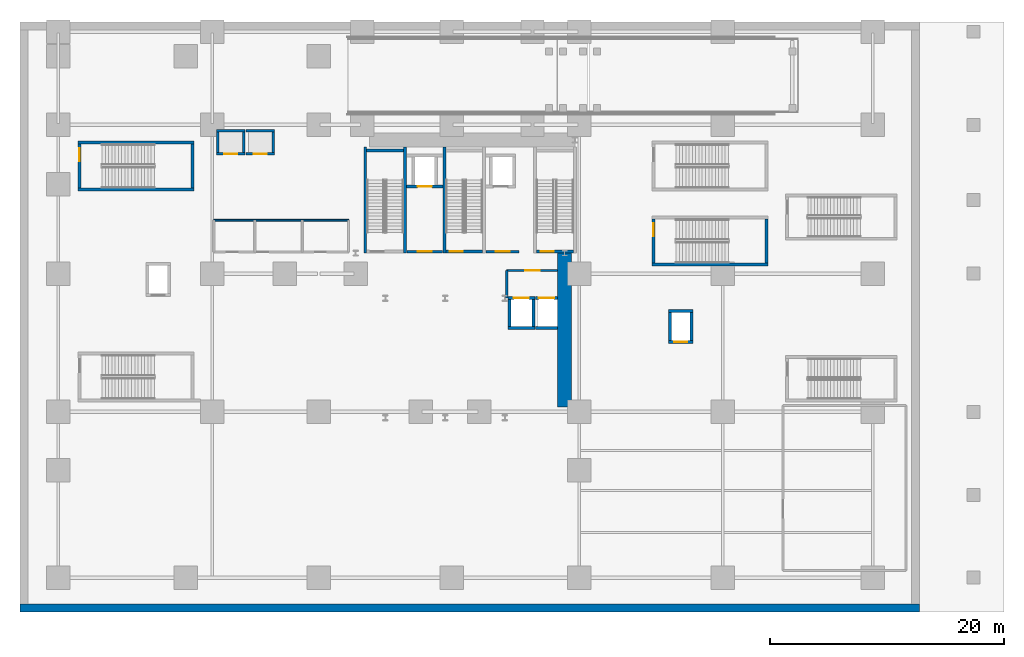
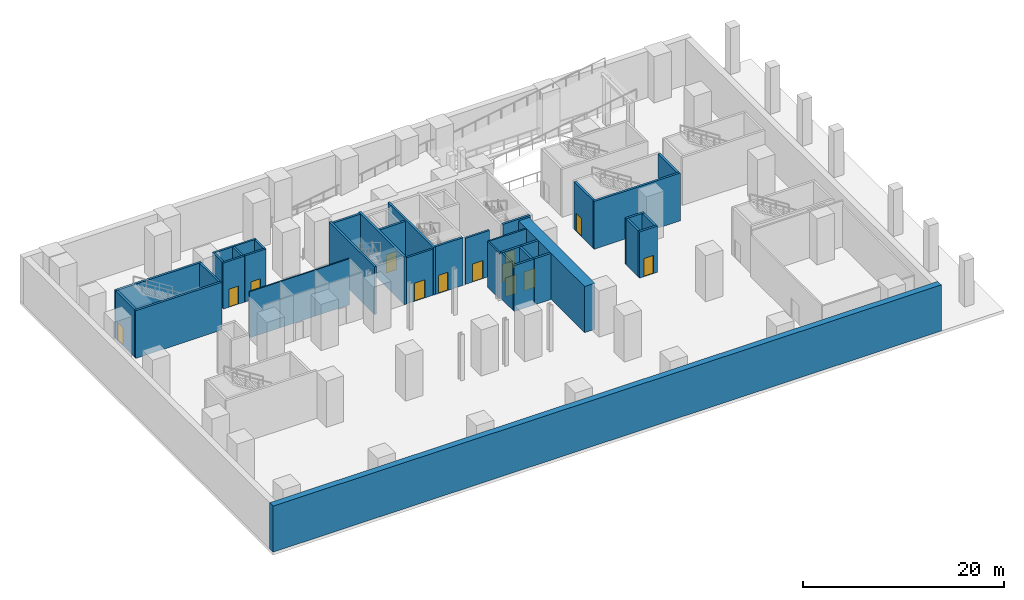
# One storey, part 5 of 16: 40 walls, 13 doors, 13 openings.
"""IFC4 building model written with IfcOpenShell, lengths in metres."""

from ifc_helpers import new_model, si_unit, direction, frame, frame_2d, origin, place, context, subcontext, project, spatial, rectangle, extrude, source, transform, mapped, material, layer, layer_set, type_object, element, fill, save


model = new_model("IFC4")

# Units and contexts
model_context = context("Model", 3, precision=1e-05, world=origin(), true_north=direction((0.0, 1.0)))
body_context = subcontext(model_context, "Body", "Model", "MODEL_VIEW")
ifc_project = project(units=[si_unit("LENGTHUNIT", "METRE"), si_unit("AREAUNIT", "SQUARE_METRE"), si_unit("VOLUMEUNIT", "CUBIC_METRE"), si_unit("PLANEANGLEUNIT", "RADIAN"), si_unit("MASSUNIT", "GRAM", prefix="KILO")], contexts=[model_context])

# Site, building, storey
site_placement = place(None, origin())
site = spatial("IfcSite", under=ifc_project, at=site_placement, CompositionType="ELEMENT")
building_placement = place(site_placement, origin())
building = spatial("IfcBuilding", under=site, at=building_placement, Name="Vardaveli Station Tower", CompositionType="ELEMENT")
storey_placement = place(building_placement, frame((0.0, 0.0, -6.0)))
storey = spatial("IfcBuildingStorey", under=building, at=storey_placement, Name="B01", CompositionType="ELEMENT", Elevation=-6.0)

# Walls
ifc_material_1 = material(Name="Concrete C70/85", Category="concrete")
ifc_layer_1 = layer(ifc_material_1, 1.199951171875, Name="Concrete C70/85")
ifc_layer_set_1 = layer_set([ifc_layer_1], Name="Concrete C70/85")
wall_type_1 = type_object("IfcWallType", Name="WAL-CORE-1200", PredefinedType="SHEAR", material=ifc_layer_set_1)
shared_shape_1 = source(origin(), body_context, "Body", "SweptSolid", [
    extrude(rectangle(XDim=13.14990234375, YDim=1.199951171875, at=frame_2d((6.574951171875, 0.0))), origin(), (0.0, 0.0, 1.0), 5.60009765625),
])
wall_1_placement = place(storey_placement, frame((46.5, 17.5, 0.0), z_axis=(0.0, 0.0, 1.0), x_axis=(0.0, 1.0, 0.0)))
element("IfcWall", 1, at=wall_1_placement, inside=storey, type_object=wall_type_1, Name="SW-B01-EAST2", PredefinedType="SHEAR", context=body_context, shape_type="MappedRepresentation", body=[
    mapped(shared_shape_1, transform((0.0, 0.0, 0.0), scale=1.0)),
])
ifc_material_2 = material(Name="Concrete C40/50", Category="concrete")
ifc_layer_2 = layer(ifc_material_2, 0.699951171875, Name="Concrete C40/50")
ifc_layer_set_2 = layer_set([ifc_layer_2], Name="Concrete C40/50")
wall_type_2 = type_object("IfcWallType", Name="WAL-RET-700", PredefinedType="SOLIDWALL", material=ifc_layer_set_2)
shared_shape_2 = source(origin(), body_context, "Body", "SweptSolid", [
    extrude(rectangle(XDim=76.800048828125, YDim=0.699951171875, at=frame_2d((38.39990234375, 0.0))), origin(), (0.0, 0.0, 1.0), 5.60009765625),
])
wall_2_placement = place(storey_placement, frame((0.0, 0.35009765625, 0.0), z_axis=(0.0, 0.0, 1.0), x_axis=(1.0, 0.0, 0.0)))
element("IfcWall", 2, at=wall_2_placement, inside=storey, type_object=wall_type_2, Name="BW-B01-S", PredefinedType="SOLIDWALL", context=body_context, shape_type="MappedRepresentation", body=[
    mapped(shared_shape_2, transform((0.0, 0.0, 0.0), scale=1.0)),
])
ifc_layer_3 = layer(ifc_material_2, 0.25, Name="Concrete C40/50")
ifc_layer_set_3 = layer_set([ifc_layer_3], Name="Concrete C40/50")
wall_type_3 = type_object("IfcWallType", Name="WAL-SHAFT-250", PredefinedType="SOLIDWALL", material=ifc_layer_set_3)
shared_shape_3 = source(origin(), body_context, "Body", "SweptSolid", [
    extrude(rectangle(XDim=9.050048828125, YDim=0.25, at=frame_2d((4.52490234375, 0.0))), origin(), (0.0, 0.0, 1.0), 5.800048828125),
])
for number, where, z_axis, x_axis, name in (
    (3, (29.47509765625, 30.64990234375, 0.0), (0.0, 0.0, 1.0), (0.0, 1.0, 0.0), "W-B01-ST-1W"),
    (4, (32.875, 30.64990234375, 0.0), (0.0, 0.0, 1.0), (0.0, 1.0, 0.0), "W-B01-ST-1E"),
    (5, (36.22509765625, 30.64990234375, 0.0), (0.0, 0.0, 1.0), (0.0, 1.0, 0.0), "W-B01-ST-2W"),
):
    element("IfcWall", number, at=place(storey_placement, frame(where, z_axis=z_axis, x_axis=x_axis)), inside=storey, type_object=wall_type_3, Name=name, PredefinedType="SOLIDWALL", context=body_context, shape_type="MappedRepresentation", body=[
        mapped(shared_shape_3, transform((0.0, 0.0, 0.0), scale=1.0)),
    ])
shared_shape_4 = source(origin(), body_context, "Body", "SweptSolid", [
    extrude(rectangle(XDim=3.14990234375, YDim=0.25, at=frame_2d((1.574951171875, 0.0))), origin(), (0.0, 0.0, 1.0), 5.800048828125),
])
wall_3_placement = place(storey_placement, frame((29.60009765625, 39.425048828125, 0.0), z_axis=(0.0, 0.0, 1.0), x_axis=(1.0, 0.0, 0.0)))
element("IfcWall", 6, at=wall_3_placement, inside=storey, type_object=wall_type_3, Name="W-B01-ST-1N", PredefinedType="SOLIDWALL", context=body_context, shape_type="MappedRepresentation", body=[
    mapped(shared_shape_4, transform((0.0, 0.0, 0.0), scale=1.0)),
])

# Wall, opening, door
wall_4_placement = place(storey_placement, frame((36.35009765625, 30.77490234375, 0.0), z_axis=(0.0, 0.0, 1.0), x_axis=(1.0, 0.0, 0.0)))
wall_4 = element("IfcWall", 7, at=wall_4_placement, inside=storey, type_object=wall_type_3, Name="W-B01-ST-2S", PredefinedType="SOLIDWALL", context=body_context, shape_type="MappedRepresentation", body=[
    mapped(shared_shape_4, transform((0.0, 0.0, 0.0), scale=1.0)),
])
shared_shape_5 = source(origin(), body_context, "Body", "SweptSolid", [
    extrude(rectangle(XDim=1.10009765625, YDim=2.199951171875, at=frame_2d((0.550048828125, 1.10009765625))), frame((0.0, 0.135009765625, 0.0), z_axis=(0.0, -1.0, 0.0), x_axis=(1.0, 0.0, 0.0)), (0.0, 0.0, 1.0), 0.27001953125),
])
opening_1_placement = place(wall_4_placement, frame((0.35009765625, 0.0, 0.0)))
opening_1 = element("IfcOpeningElement", 8, at=opening_1_placement, cuts=wall_4, Name="Opening D-04", PredefinedType="OPENING", context=body_context, shape_type="MappedRepresentation", body=[
    mapped(shared_shape_5, transform((0.0, 0.0, 0.0), scale=1.0)),
])
ifc_material_3 = material(Name="Steel smokeproof fire doorset", Category="steel")
door_type_1 = type_object("IfcDoorType", Name="DR-ST-1100x2200", OperationType="NOTDEFINED", PredefinedType="DOOR", material=ifc_material_3)
shared_shape_6 = source(origin(), body_context, "Body", "SweptSolid", [
    extrude(rectangle(XDim=1.10009765625, YDim=2.199951171875, at=frame_2d((0.550048828125, 1.10009765625))), frame((0.0, 0.02490234375, 0.0), z_axis=(0.0, -1.0, 0.0), x_axis=(1.0, 0.0, 0.0)), (0.0, 0.0, 1.0), 0.050048828125),
])
door_1_placement = place(opening_1_placement, origin())
door_1 = element("IfcDoor", 9, at=door_1_placement, inside=storey, type_object=door_type_1, Name="DST-2-B01", OperationType="SINGLE_SWING_LEFT", OverallHeight=2.199951171875, OverallWidth=1.10009765625, PredefinedType="DOOR", context=body_context, shape_type="MappedRepresentation", body=[
    mapped(shared_shape_6, transform((0.0, 0.0, 0.0), scale=1.0)),
])
fill(opening_1, door_1)

wall_5_placement = place(storey_placement, frame((44.10009765625, 30.77490234375, 0.0), z_axis=(0.0, 0.0, 1.0), x_axis=(1.0, 0.0, 0.0)))
wall_5 = element("IfcWall", 10, at=wall_5_placement, inside=storey, type_object=wall_type_3, Name="W-B01-ST-3S", PredefinedType="SOLIDWALL", context=body_context, shape_type="MappedRepresentation", body=[
    mapped(shared_shape_4, transform((0.0, 0.0, 0.0), scale=1.0)),
])
opening_2_placement = place(wall_5_placement, frame((0.35009765625, 0.0, 0.0)))
opening_2 = element("IfcOpeningElement", 11, at=opening_2_placement, cuts=wall_5, Name="Opening D-04", PredefinedType="OPENING", context=body_context, shape_type="MappedRepresentation", body=[
    mapped(shared_shape_5, transform((0.0, 0.0, 0.0), scale=1.0)),
])
door_2_placement = place(opening_2_placement, origin())
door_2 = element("IfcDoor", 12, at=door_2_placement, inside=storey, type_object=door_type_1, Name="DST-3-B01", OperationType="SINGLE_SWING_LEFT", OverallHeight=2.199951171875, OverallWidth=1.10009765625, PredefinedType="DOOR", context=body_context, shape_type="MappedRepresentation", body=[
    mapped(shared_shape_6, transform((0.0, 0.0, 0.0), scale=1.0)),
])
fill(opening_2, door_2)

# Walls
shared_shape_7 = source(origin(), body_context, "Body", "SweptSolid", [
    extrude(rectangle(XDim=9.900146484375, YDim=0.25, at=frame_2d((4.9501953125, 0.0))), origin(), (0.0, 0.0, 1.0), 5.800048828125),
])
for number, where, z_axis, x_axis, name in (
    (13, (53.949951171875, 29.675048828125, 0.0), (0.0, 0.0, 1.0), (1.0, 0.0, 0.0), "W-B01-ST-S2S"),
    (14, (4.949951171875, 36.074951171875, 0.0), (0.0, 0.0, 1.0), (1.0, 0.0, 0.0), "W-B01-ST-P1S"),
    (15, (4.949951171875, 40.074951171875, 0.0), (0.0, 0.0, 1.0), (1.0, 0.0, 0.0), "W-B01-ST-P1N"),
):
    element("IfcWall", number, at=place(storey_placement, frame(where, z_axis=z_axis, x_axis=x_axis)), inside=storey, type_object=wall_type_3, Name=name, PredefinedType="SOLIDWALL", context=body_context, shape_type="MappedRepresentation", body=[
        mapped(shared_shape_7, transform((0.0, 0.0, 0.0), scale=1.0)),
    ])
shared_shape_8 = source(origin(), body_context, "Body", "SweptSolid", [
    extrude(rectangle(XDim=3.75, YDim=0.25, at=frame_2d((1.875, 0.0))), origin(), (0.0, 0.0, 1.0), 5.800048828125),
])
wall_6_placement = place(storey_placement, frame((63.72509765625, 29.800048828125, 0.0), z_axis=(0.0, 0.0, 1.0), x_axis=(0.0, 1.0, 0.0)))
element("IfcWall", 16, at=wall_6_placement, inside=storey, type_object=wall_type_3, Name="W-B01-ST-S2E", PredefinedType="SOLIDWALL", context=body_context, shape_type="MappedRepresentation", body=[
    mapped(shared_shape_8, transform((0.0, 0.0, 0.0), scale=1.0)),
])

# Wall, opening, door
wall_7_placement = place(storey_placement, frame((54.074951171875, 29.800048828125, 0.0), z_axis=(0.0, 0.0, 1.0), x_axis=(0.0, 1.0, 0.0)))
wall_7 = element("IfcWall", 17, at=wall_7_placement, inside=storey, type_object=wall_type_3, Name="W-B01-ST-S2W", PredefinedType="SOLIDWALL", context=body_context, shape_type="MappedRepresentation", body=[
    mapped(shared_shape_8, transform((0.0, 0.0, 0.0), scale=1.0)),
])
opening_3_placement = place(wall_7_placement, frame((2.300048828125, 0.0, 0.0)))
opening_3 = element("IfcOpeningElement", 18, at=opening_3_placement, cuts=wall_7, Name="Opening D-04", PredefinedType="OPENING", context=body_context, shape_type="MappedRepresentation", body=[
    mapped(shared_shape_5, transform((0.0, 0.0, 0.0), scale=1.0)),
])
door_3_placement = place(opening_3_placement, origin())
door_3 = element("IfcDoor", 19, at=door_3_placement, inside=storey, type_object=door_type_1, Name="DST-S2-B01", OperationType="SINGLE_SWING_RIGHT", OverallHeight=2.199951171875, OverallWidth=1.10009765625, PredefinedType="DOOR", context=body_context, shape_type="MappedRepresentation", body=[
    mapped(shared_shape_6, transform((0.0, 0.0, 0.0), scale=1.0)),
])
fill(opening_3, door_3)

# Wall
wall_8_placement = place(storey_placement, frame((14.72509765625, 36.199951171875, 0.0), z_axis=(0.0, 0.0, 1.0), x_axis=(0.0, 1.0, 0.0)))
element("IfcWall", 20, at=wall_8_placement, inside=storey, type_object=wall_type_3, Name="W-B01-ST-P1E", PredefinedType="SOLIDWALL", context=body_context, shape_type="MappedRepresentation", body=[
    mapped(shared_shape_8, transform((0.0, 0.0, 0.0), scale=1.0)),
])

# Wall, opening, door
wall_9_placement = place(storey_placement, frame((5.074951171875, 36.199951171875, 0.0), z_axis=(0.0, 0.0, 1.0), x_axis=(0.0, 1.0, 0.0)))
wall_9 = element("IfcWall", 21, at=wall_9_placement, inside=storey, type_object=wall_type_3, Name="W-B01-ST-P1W", PredefinedType="SOLIDWALL", context=body_context, shape_type="MappedRepresentation", body=[
    mapped(shared_shape_8, transform((0.0, 0.0, 0.0), scale=1.0)),
])
opening_4_placement = place(wall_9_placement, frame((2.300048828125, 0.0, 0.0)))
opening_4 = element("IfcOpeningElement", 22, at=opening_4_placement, cuts=wall_9, Name="Opening D-04", PredefinedType="OPENING", context=body_context, shape_type="MappedRepresentation", body=[
    mapped(shared_shape_5, transform((0.0, 0.0, 0.0), scale=1.0)),
])
door_4_placement = place(opening_4_placement, origin())
door_4 = element("IfcDoor", 23, at=door_4_placement, inside=storey, type_object=door_type_1, Name="DST-P1-B01", OperationType="SINGLE_SWING_RIGHT", OverallHeight=2.199951171875, OverallWidth=1.10009765625, PredefinedType="DOOR", context=body_context, shape_type="MappedRepresentation", body=[
    mapped(shared_shape_6, transform((0.0, 0.0, 0.0), scale=1.0)),
])
fill(opening_4, door_4)

ifc_layer_4 = layer(ifc_material_2, 0.219970703125, Name="Concrete C40/50")
ifc_layer_set_4 = layer_set([ifc_layer_4], Name="Concrete C40/50")
wall_type_4 = type_object("IfcWallType", Name="WAL-FFLOBBY-220", PredefinedType="SOLIDWALL", material=ifc_layer_set_4)
shared_shape_9 = source(origin(), body_context, "Body", "SweptSolid", [
    extrude(rectangle(XDim=3.0, YDim=0.219970703125, at=frame_2d((1.5, 0.0))), origin(), (0.0, 0.0, 1.0), 5.60009765625),
])
wall_10_placement = place(storey_placement, frame((33.050048828125, 30.780029296875, 0.0), z_axis=(0.0, 0.0, 1.0), x_axis=(1.0, 0.0, 0.0)))
wall_10 = element("IfcWall", 24, at=wall_10_placement, inside=storey, type_object=wall_type_4, Name="W-B01-FFL1S", PredefinedType="SOLIDWALL", context=body_context, shape_type="MappedRepresentation", body=[
    mapped(shared_shape_9, transform((0.0, 0.0, 0.0), scale=1.0)),
])
shared_shape_10 = source(origin(), body_context, "Body", "SweptSolid", [
    extrude(rectangle(XDim=1.199951171875, YDim=2.199951171875, at=frame_2d((0.60009765625, 1.10009765625))), frame((0.0, 0.1201171875, 0.0), z_axis=(0.0, -1.0, 0.0), x_axis=(1.0, 0.0, 0.0)), (0.0, 0.0, 1.0), 0.239990234375),
])
opening_5_placement = place(wall_10_placement, frame((0.89990234375, 0.0, 0.0)))
opening_5 = element("IfcOpeningElement", 25, at=opening_5_placement, cuts=wall_10, Name="Opening D-03", PredefinedType="OPENING", context=body_context, shape_type="MappedRepresentation", body=[
    mapped(shared_shape_10, transform((0.0, 0.0, 0.0), scale=1.0)),
])
door_type_2 = type_object("IfcDoorType", Name="DR-FFL-1200x2200", OperationType="NOTDEFINED", PredefinedType="DOOR", material=ifc_material_3)
shared_shape_11 = source(origin(), body_context, "Body", "SweptSolid", [
    extrude(rectangle(XDim=1.199951171875, YDim=2.199951171875, at=frame_2d((0.60009765625, 1.10009765625))), frame((0.0, 0.02490234375, 0.0), z_axis=(0.0, -1.0, 0.0), x_axis=(1.0, 0.0, 0.0)), (0.0, 0.0, 1.0), 0.050048828125),
])
door_5_placement = place(opening_5_placement, origin())
door_5 = element("IfcDoor", 26, at=door_5_placement, inside=storey, type_object=door_type_2, Name="DFFL1-B01", OperationType="SINGLE_SWING_LEFT", OverallHeight=2.199951171875, OverallWidth=1.199951171875, PredefinedType="DOOR", context=body_context, shape_type="MappedRepresentation", body=[
    mapped(shared_shape_11, transform((0.0, 0.0, 0.0), scale=1.0)),
])
fill(opening_5, door_5)

shared_shape_12 = source(origin(), body_context, "Body", "SweptSolid", [
    extrude(rectangle(XDim=2.800048828125, YDim=0.219970703125, at=frame_2d((1.39990234375, 0.0))), origin(), (0.0, 0.0, 1.0), 5.60009765625),
])
wall_11_placement = place(storey_placement, frame((39.800048828125, 30.780029296875, 0.0), z_axis=(0.0, 0.0, 1.0), x_axis=(1.0, 0.0, 0.0)))
wall_11 = element("IfcWall", 27, at=wall_11_placement, inside=storey, type_object=wall_type_4, Name="W-B01-FFL2S", PredefinedType="SOLIDWALL", context=body_context, shape_type="MappedRepresentation", body=[
    mapped(shared_shape_12, transform((0.0, 0.0, 0.0), scale=1.0)),
])
opening_6_placement = place(wall_11_placement, frame((0.800048828125, 0.0, 0.0)))
opening_6 = element("IfcOpeningElement", 28, at=opening_6_placement, cuts=wall_11, Name="Opening D-03", PredefinedType="OPENING", context=body_context, shape_type="MappedRepresentation", body=[
    mapped(shared_shape_10, transform((0.0, 0.0, 0.0), scale=1.0)),
])
door_6_placement = place(opening_6_placement, origin())
door_6 = element("IfcDoor", 29, at=door_6_placement, inside=storey, type_object=door_type_2, Name="DFFL2-B01", OperationType="SINGLE_SWING_RIGHT", OverallHeight=2.199951171875, OverallWidth=1.199951171875, PredefinedType="DOOR", context=body_context, shape_type="MappedRepresentation", body=[
    mapped(shared_shape_11, transform((0.0, 0.0, 0.0), scale=1.0)),
])
fill(opening_6, door_6)

# Walls
shared_shape_13 = source(origin(), body_context, "Body", "SweptSolid", [
    extrude(rectangle(XDim=2.400146484375, YDim=0.25, at=frame_2d((1.2001953125, 0.0))), origin(), (0.0, 0.0, 1.0), 5.60009765625),
])
for number, where, z_axis, x_axis, name in (
    (30, (55.47509765625, 23.199951171875, 0.0), (0.0, 0.0, 1.0), (0.0, 1.0, 0.0), "SHW-STN-02-B01-W"),
    (31, (57.324951171875, 23.199951171875, 0.0), (0.0, 0.0, 1.0), (0.0, 1.0, 0.0), "SHW-STN-02-B01-E"),
):
    element("IfcWall", number, at=place(storey_placement, frame(where, z_axis=z_axis, x_axis=x_axis)), inside=storey, type_object=wall_type_3, Name=name, PredefinedType="SOLIDWALL", context=body_context, shape_type="MappedRepresentation", body=[
        mapped(shared_shape_13, transform((0.0, 0.0, 0.0), scale=1.0)),
    ])

# Wall, opening, door
shared_shape_14 = source(origin(), body_context, "Body", "SweptSolid", [
    extrude(rectangle(XDim=2.099853515625, YDim=0.25, at=frame_2d((1.0498046875, 0.0))), origin(), (0.0, 0.0, 1.0), 5.60009765625),
])
wall_12_placement = place(storey_placement, frame((55.35009765625, 23.074951171875, 0.0), z_axis=(0.0, 0.0, 1.0), x_axis=(1.0, 0.0, 0.0)))
wall_12 = element("IfcWall", 32, at=wall_12_placement, inside=storey, type_object=wall_type_3, Name="SHW-STN-02-B01-S", PredefinedType="SOLIDWALL", context=body_context, shape_type="MappedRepresentation", body=[
    mapped(shared_shape_14, transform((0.0, 0.0, 0.0), scale=1.0)),
])
opening_7_placement = place(wall_12_placement, frame((0.5, 0.0, 0.0)))
opening_7 = element("IfcOpeningElement", 33, at=opening_7_placement, cuts=wall_12, Name="Opening LD-01", PredefinedType="OPENING", context=body_context, shape_type="MappedRepresentation", body=[
    mapped(shared_shape_5, transform((0.0, 0.0, 0.0), scale=1.0)),
])
ifc_material_4 = material(Name="Brushed stainless steel", Category="steel")
door_type_3 = type_object("IfcDoorType", Name="DR-LD-1100x2200", OperationType="DOUBLE_DOOR_SLIDING", PredefinedType="DOOR", material=ifc_material_4)
door_7_placement = place(opening_7_placement, origin())
door_7 = element("IfcDoor", 34, at=door_7_placement, inside=storey, type_object=door_type_3, Name="LD-STN-02-B01", OperationType="DOUBLE_DOOR_SLIDING", OverallHeight=2.199951171875, OverallWidth=1.10009765625, PredefinedType="DOOR", context=body_context, shape_type="MappedRepresentation", body=[
    mapped(shared_shape_6, transform((0.0, 0.0, 0.0), scale=1.0)),
])
fill(opening_7, door_7)

# Wall
wall_13_placement = place(storey_placement, frame((55.35009765625, 25.72509765625, 0.0), z_axis=(0.0, 0.0, 1.0), x_axis=(1.0, 0.0, 0.0)))
element("IfcWall", 35, at=wall_13_placement, inside=storey, type_object=wall_type_3, Name="SHW-STN-02-B01-N", PredefinedType="SOLIDWALL", context=body_context, shape_type="MappedRepresentation", body=[
    mapped(shared_shape_14, transform((0.0, 0.0, 0.0), scale=1.0)),
])

# Wall, opening, door
shared_shape_15 = source(origin(), body_context, "Body", "SweptSolid", [
    extrude(rectangle(XDim=2.43994140625, YDim=0.219970703125, at=frame_2d((1.219970703125, 0.0))), origin(), (0.0, 0.0, 1.0), 5.60009765625),
])
wall_14_placement = place(storey_placement, frame((16.780029296875, 39.114990234375, 0.0), z_axis=(0.0, 0.0, 1.0), x_axis=(1.0, 0.0, 0.0)))
wall_14 = element("IfcWall", 36, at=wall_14_placement, inside=storey, type_object=wall_type_4, Name="SHW-POD-01-B01-S", PredefinedType="SOLIDWALL", context=body_context, shape_type="MappedRepresentation", body=[
    mapped(shared_shape_15, transform((0.0, 0.0, 0.0), scale=1.0)),
])
shared_shape_16 = source(origin(), body_context, "Body", "SweptSolid", [
    extrude(rectangle(XDim=1.10009765625, YDim=2.199951171875, at=frame_2d((0.550048828125, 1.10009765625))), frame((0.0, 0.1201171875, 0.0), z_axis=(0.0, -1.0, 0.0), x_axis=(1.0, 0.0, 0.0)), (0.0, 0.0, 1.0), 0.239990234375),
])
opening_8_placement = place(wall_14_placement, frame((0.669921875, 0.0, 0.0)))
opening_8 = element("IfcOpeningElement", 37, at=opening_8_placement, cuts=wall_14, Name="Opening LD-01", PredefinedType="OPENING", context=body_context, shape_type="MappedRepresentation", body=[
    mapped(shared_shape_16, transform((0.0, 0.0, 0.0), scale=1.0)),
])
door_8_placement = place(opening_8_placement, origin())
door_8 = element("IfcDoor", 38, at=door_8_placement, inside=storey, type_object=door_type_3, Name="LD-POD-01-B01", OperationType="DOUBLE_DOOR_SLIDING", OverallHeight=2.199951171875, OverallWidth=1.10009765625, PredefinedType="DOOR", context=body_context, shape_type="MappedRepresentation", body=[
    mapped(shared_shape_6, transform((0.0, 0.0, 0.0), scale=1.0)),
])
fill(opening_8, door_8)

# Wall
wall_15_placement = place(storey_placement, frame((16.780029296875, 41.0849609375, 0.0), z_axis=(0.0, 0.0, 1.0), x_axis=(1.0, 0.0, 0.0)))
element("IfcWall", 39, at=wall_15_placement, inside=storey, type_object=wall_type_4, Name="SHW-POD-01-B01-N", PredefinedType="SOLIDWALL", context=body_context, shape_type="MappedRepresentation", body=[
    mapped(shared_shape_15, transform((0.0, 0.0, 0.0), scale=1.0)),
])

# Wall, opening, door
wall_16_placement = place(storey_placement, frame((19.280029296875, 39.114990234375, 0.0), z_axis=(0.0, 0.0, 1.0), x_axis=(1.0, 0.0, 0.0)))
wall_16 = element("IfcWall", 40, at=wall_16_placement, inside=storey, type_object=wall_type_4, Name="SHW-POD-02-B01-S", PredefinedType="SOLIDWALL", context=body_context, shape_type="MappedRepresentation", body=[
    mapped(shared_shape_15, transform((0.0, 0.0, 0.0), scale=1.0)),
])
opening_9_placement = place(wall_16_placement, frame((0.669921875, 0.0, 0.0)))
opening_9 = element("IfcOpeningElement", 41, at=opening_9_placement, cuts=wall_16, Name="Opening LD-01", PredefinedType="OPENING", context=body_context, shape_type="MappedRepresentation", body=[
    mapped(shared_shape_16, transform((0.0, 0.0, 0.0), scale=1.0)),
])
door_9_placement = place(opening_9_placement, origin())
door_9 = element("IfcDoor", 42, at=door_9_placement, inside=storey, type_object=door_type_3, Name="LD-POD-02-B01", OperationType="DOUBLE_DOOR_SLIDING", OverallHeight=2.199951171875, OverallWidth=1.10009765625, PredefinedType="DOOR", context=body_context, shape_type="MappedRepresentation", body=[
    mapped(shared_shape_6, transform((0.0, 0.0, 0.0), scale=1.0)),
])
fill(opening_9, door_9)

# Walls
wall_17_placement = place(storey_placement, frame((19.280029296875, 41.0849609375, 0.0), z_axis=(0.0, 0.0, 1.0), x_axis=(1.0, 0.0, 0.0)))
element("IfcWall", 43, at=wall_17_placement, inside=storey, type_object=wall_type_4, Name="SHW-POD-02-B01-N", PredefinedType="SOLIDWALL", context=body_context, shape_type="MappedRepresentation", body=[
    mapped(shared_shape_15, transform((0.0, 0.0, 0.0), scale=1.0)),
])
shared_shape_17 = source(origin(), body_context, "Body", "SweptSolid", [
    extrude(rectangle(XDim=1.75, YDim=0.219970703125, at=frame_2d((0.875, 0.0))), origin(), (0.0, 0.0, 1.0), 5.60009765625),
])
for number, where, z_axis, x_axis, name in (
    (44, (16.889892578125, 39.22509765625, 0.0), (0.0, 0.0, 1.0), (0.0, 1.0, 0.0), "SHW-POD-01-B01-W"),
    (45, (19.110107421875, 39.22509765625, 0.0), (0.0, 0.0, 1.0), (0.0, 1.0, 0.0), "SHW-POD-01-B01-E"),
    (46, (21.610107421875, 39.22509765625, 0.0), (0.0, 0.0, 1.0), (0.0, 1.0, 0.0), "SHW-POD-02-B01-E"),
):
    element("IfcWall", number, at=place(storey_placement, frame(where, z_axis=z_axis, x_axis=x_axis)), inside=storey, type_object=wall_type_4, Name=name, PredefinedType="SOLIDWALL", context=body_context, shape_type="MappedRepresentation", body=[
        mapped(shared_shape_17, transform((0.0, 0.0, 0.0), scale=1.0)),
    ])

# Wall, opening, door
shared_shape_18 = source(origin(), body_context, "Body", "SweptSolid", [
    extrude(rectangle(XDim=3.10009765625, YDim=0.25, at=frame_2d((1.550048828125, 0.0))), origin(), (0.0, 0.0, 1.0), 5.60009765625),
])
wall_18_placement = place(storey_placement, frame((33.0, 36.324951171875, 0.0), z_axis=(0.0, 0.0, 1.0), x_axis=(1.0, 0.0, 0.0)))
wall_18 = element("IfcWall", 47, at=wall_18_placement, inside=storey, type_object=wall_type_3, Name="SHW-FFL-01-B01-S", PredefinedType="SOLIDWALL", context=body_context, shape_type="MappedRepresentation", body=[
    mapped(shared_shape_18, transform((0.0, 0.0, 0.0), scale=1.0)),
])
shared_shape_19 = source(origin(), body_context, "Body", "SweptSolid", [
    extrude(rectangle(XDim=1.199951171875, YDim=2.25, at=frame_2d((0.60009765625, 1.125))), frame((0.0, 0.135009765625, 0.0), z_axis=(0.0, -1.0, 0.0), x_axis=(1.0, 0.0, 0.0)), (0.0, 0.0, 1.0), 0.27001953125),
])
opening_10_placement = place(wall_18_placement, frame((0.949951171875, 0.0, 0.0)))
opening_10 = element("IfcOpeningElement", 48, at=opening_10_placement, cuts=wall_18, Name="Opening LD-02", PredefinedType="OPENING", context=body_context, shape_type="MappedRepresentation", body=[
    mapped(shared_shape_19, transform((0.0, 0.0, 0.0), scale=1.0)),
])
door_type_4 = type_object("IfcDoorType", Name="DR-LD-1200x2250", OperationType="DOUBLE_DOOR_SLIDING", PredefinedType="DOOR", material=ifc_material_4)
shared_shape_20 = source(origin(), body_context, "Body", "SweptSolid", [
    extrude(rectangle(XDim=1.199951171875, YDim=2.25, at=frame_2d((0.60009765625, 1.125))), frame((0.0, 0.02490234375, 0.0), z_axis=(0.0, -1.0, 0.0), x_axis=(1.0, 0.0, 0.0)), (0.0, 0.0, 1.0), 0.050048828125),
])
door_10_placement = place(opening_10_placement, origin())
door_10 = element("IfcDoor", 49, at=door_10_placement, inside=storey, type_object=door_type_4, Name="LD-FFL-01-B01", OperationType="DOUBLE_DOOR_SLIDING", OverallHeight=2.25, OverallWidth=1.199951171875, PredefinedType="DOOR", context=body_context, shape_type="MappedRepresentation", body=[
    mapped(shared_shape_20, transform((0.0, 0.0, 0.0), scale=1.0)),
])
fill(opening_10, door_10)

# Wall
shared_shape_21 = source(origin(), body_context, "Body", "SweptSolid", [
    extrude(rectangle(XDim=2.300048828125, YDim=0.25, at=frame_2d((1.14990234375, 0.0))), origin(), (0.0, 0.0, 1.0), 5.60009765625),
])
wall_19_placement = place(storey_placement, frame((41.64990234375, 24.27490234375, 0.0), z_axis=(0.0, 0.0, 1.0), x_axis=(1.0, 0.0, 0.0)))
element("IfcWall", 50, at=wall_19_placement, inside=storey, type_object=wall_type_3, Name="SHW-SRV-01-B01-S", PredefinedType="SOLIDWALL", context=body_context, shape_type="MappedRepresentation", body=[
    mapped(shared_shape_21, transform((0.0, 0.0, 0.0), scale=1.0)),
])

# Wall, opening, door
wall_20_placement = place(storey_placement, frame((41.64990234375, 26.824951171875, 0.0), z_axis=(0.0, 0.0, 1.0), x_axis=(1.0, 0.0, 0.0)))
wall_20 = element("IfcWall", 51, at=wall_20_placement, inside=storey, type_object=wall_type_3, Name="SHW-SRV-01-B01-N", PredefinedType="SOLIDWALL", context=body_context, shape_type="MappedRepresentation", body=[
    mapped(shared_shape_21, transform((0.0, 0.0, 0.0), scale=1.0)),
])
shared_shape_22 = source(origin(), body_context, "Body", "SweptSolid", [
    extrude(rectangle(XDim=1.300048828125, YDim=2.300048828125, at=frame_2d((0.64990234375, 1.14990234375))), frame((0.0, 0.135009765625, 0.0), z_axis=(0.0, -1.0, 0.0), x_axis=(1.0, 0.0, 0.0)), (0.0, 0.0, 1.0), 0.27001953125),
])
opening_11_placement = place(wall_20_placement, frame((0.5, 0.0, 0.0)))
opening_11 = element("IfcOpeningElement", 52, at=opening_11_placement, cuts=wall_20, Name="Opening LD-03", PredefinedType="OPENING", context=body_context, shape_type="MappedRepresentation", body=[
    mapped(shared_shape_22, transform((0.0, 0.0, 0.0), scale=1.0)),
])
door_type_5 = type_object("IfcDoorType", Name="DR-LD-1300x2300", OperationType="DOUBLE_DOOR_SLIDING", PredefinedType="DOOR", material=ifc_material_4)
shared_shape_23 = source(origin(), body_context, "Body", "SweptSolid", [
    extrude(rectangle(XDim=1.300048828125, YDim=2.300048828125, at=frame_2d((0.64990234375, 1.14990234375))), frame((0.0, 0.02490234375, 0.0), z_axis=(0.0, -1.0, 0.0), x_axis=(1.0, 0.0, 0.0)), (0.0, 0.0, 1.0), 0.050048828125),
])
door_11_placement = place(opening_11_placement, origin())
door_11 = element("IfcDoor", 53, at=door_11_placement, inside=storey, type_object=door_type_5, Name="LD-SRV-01-B01", OperationType="DOUBLE_DOOR_SLIDING", OverallHeight=2.300048828125, OverallWidth=1.300048828125, PredefinedType="DOOR", context=body_context, shape_type="MappedRepresentation", body=[
    mapped(shared_shape_23, transform((0.0, 0.0, 0.0), scale=1.0)),
])
fill(opening_11, door_11)

# Walls
for number, where, z_axis, x_axis, name in (
    (54, (41.77490234375, 24.39990234375, 0.0), (0.0, 0.0, 1.0), (0.0, 1.0, 0.0), "SHW-SRV-01-B01-W"),
    (55, (43.824951171875, 24.39990234375, 0.0), (0.0, 0.0, 1.0), (0.0, 1.0, 0.0), "SHW-SRV-01-B01-E"),
):
    element("IfcWall", number, at=place(storey_placement, frame(where, z_axis=z_axis, x_axis=x_axis)), inside=storey, type_object=wall_type_3, Name=name, PredefinedType="SOLIDWALL", context=body_context, shape_type="MappedRepresentation", body=[
        mapped(shared_shape_21, transform((0.0, 0.0, 0.0), scale=1.0)),
    ])
shared_shape_24 = source(origin(), body_context, "Body", "SweptSolid", [
    extrude(rectangle(XDim=1.89990234375, YDim=0.25, at=frame_2d((0.949951171875, 0.0))), origin(), (0.0, 0.0, 1.0), 5.60009765625),
])
wall_21_placement = place(storey_placement, frame((44.0, 24.27490234375, 0.0), z_axis=(0.0, 0.0, 1.0), x_axis=(1.0, 0.0, 0.0)))
element("IfcWall", 56, at=wall_21_placement, inside=storey, type_object=wall_type_3, Name="SHW-SRV-02-B01-S", PredefinedType="SOLIDWALL", context=body_context, shape_type="MappedRepresentation", body=[
    mapped(shared_shape_24, transform((0.0, 0.0, 0.0), scale=1.0)),
])

# Wall, opening, door
wall_22_placement = place(storey_placement, frame((44.0, 26.824951171875, 0.0), z_axis=(0.0, 0.0, 1.0), x_axis=(1.0, 0.0, 0.0)))
wall_22 = element("IfcWall", 57, at=wall_22_placement, inside=storey, type_object=wall_type_3, Name="SHW-SRV-02-B01-N", PredefinedType="SOLIDWALL", context=body_context, shape_type="MappedRepresentation", body=[
    mapped(shared_shape_24, transform((0.0, 0.0, 0.0), scale=1.0)),
])
opening_12_placement = place(wall_22_placement, frame((0.300048828125, 0.0, 0.0)))
opening_12 = element("IfcOpeningElement", 58, at=opening_12_placement, cuts=wall_22, Name="Opening LD-03", PredefinedType="OPENING", context=body_context, shape_type="MappedRepresentation", body=[
    mapped(shared_shape_22, transform((0.0, 0.0, 0.0), scale=1.0)),
])
door_12_placement = place(opening_12_placement, origin())
door_12 = element("IfcDoor", 59, at=door_12_placement, inside=storey, type_object=door_type_5, Name="LD-SRV-02-B01", OperationType="DOUBLE_DOOR_SLIDING", OverallHeight=2.300048828125, OverallWidth=1.300048828125, PredefinedType="DOOR", context=body_context, shape_type="MappedRepresentation", body=[
    mapped(shared_shape_23, transform((0.0, 0.0, 0.0), scale=1.0)),
])
fill(opening_12, door_12)

ifc_material_5 = material(Name="Fire-rated gypsum stud partition")
ifc_layer_5 = layer(ifc_material_5, 0.179931640625, Name="Fire-rated gypsum stud partition")
ifc_layer_set_5 = layer_set([ifc_layer_5], Name="Fire-rated gypsum stud partition")
wall_type_5 = type_object("IfcWallType", Name="WAL-CORR-180", PredefinedType="PARTITIONING", material=ifc_layer_set_5)
shared_shape_25 = source(origin(), body_context, "Body", "SweptSolid", [
    extrude(rectangle(XDim=4.347900390625, YDim=0.179931640625, at=frame_2d((2.173828125, 0.0))), origin(), (0.0, 0.0, 1.0), 5.60009765625),
])
wall_23_placement = place(storey_placement, frame((41.550048828125, 29.14990234375, 0.0), z_axis=(0.0, 0.0, 1.0), x_axis=(1.0, 0.0, 0.0)))
wall_23 = element("IfcWall", 60, at=wall_23_placement, inside=storey, type_object=wall_type_5, Name="W-B01-SVFN", PredefinedType="PARTITIONING", context=body_context, shape_type="MappedRepresentation", body=[
    mapped(shared_shape_25, transform((0.0, 0.0, 0.0), scale=1.0)),
])
shared_shape_26 = source(origin(), body_context, "Body", "SweptSolid", [
    extrude(rectangle(XDim=1.199951171875, YDim=2.199951171875, at=frame_2d((0.60009765625, 1.10009765625))), frame((0.0, 0.10009765625, 0.0), z_axis=(0.0, -1.0, 0.0), x_axis=(1.0, 0.0, 0.0)), (0.0, 0.0, 1.0), 0.199951171875),
])
opening_13_placement = place(wall_23_placement, frame((1.60009765625, 0.0, 0.0)))
opening_13 = element("IfcOpeningElement", 61, at=opening_13_placement, cuts=wall_23, Name="Opening D-03", PredefinedType="OPENING", context=body_context, shape_type="MappedRepresentation", body=[
    mapped(shared_shape_26, transform((0.0, 0.0, 0.0), scale=1.0)),
])
door_13_placement = place(opening_13_placement, origin())
door_13 = element("IfcDoor", 62, at=door_13_placement, inside=storey, type_object=door_type_2, Name="D-B01-SVF", OperationType="SINGLE_SWING_LEFT", OverallHeight=2.199951171875, OverallWidth=1.199951171875, PredefinedType="DOOR", context=body_context, shape_type="MappedRepresentation", body=[
    mapped(shared_shape_11, transform((0.0, 0.0, 0.0), scale=1.0)),
])
fill(opening_13, door_13)

# Walls
ifc_material_6 = material(Name="Moisture-resistant stud partition")
ifc_layer_6 = layer(ifc_material_6, 0.14990234375, Name="Moisture-resistant stud partition")
ifc_layer_set_6 = layer_set([ifc_layer_6], Name="Moisture-resistant stud partition")
wall_type_6 = type_object("IfcWallType", Name="WAL-WET-150", PredefinedType="PARTITIONING", material=ifc_layer_set_6)
shared_shape_27 = source(origin(), body_context, "Body", "SweptSolid", [
    extrude(rectangle(XDim=4.050048828125, YDim=0.14990234375, at=frame_2d((2.02490234375, 0.0))), origin(), (0.0, 0.0, 1.0), 5.60009765625),
])
wall_24_placement = place(storey_placement, frame((20.050048828125, 33.449951171875, 0.0), z_axis=(0.0, 0.0, 1.0), x_axis=(1.0, 0.0, 0.0)))
element("IfcWall", 63, at=wall_24_placement, inside=storey, type_object=wall_type_6, Name="W-B01-WCM-N", PredefinedType="PARTITIONING", context=body_context, shape_type="MappedRepresentation", body=[
    mapped(shared_shape_27, transform((0.0, 0.0, 0.0), scale=1.0)),
])
shared_shape_28 = source(origin(), body_context, "Body", "SweptSolid", [
    extrude(rectangle(XDim=3.949951171875, YDim=0.14990234375, at=frame_2d((1.97509765625, 0.0))), origin(), (0.0, 0.0, 1.0), 5.60009765625),
])
wall_25_placement = place(storey_placement, frame((24.10009765625, 33.449951171875, 0.0), z_axis=(0.0, 0.0, 1.0), x_axis=(1.0, 0.0, 0.0)))
element("IfcWall", 64, at=wall_25_placement, inside=storey, type_object=wall_type_6, Name="W-B01-WCF-N", PredefinedType="PARTITIONING", context=body_context, shape_type="MappedRepresentation", body=[
    mapped(shared_shape_28, transform((0.0, 0.0, 0.0), scale=1.0)),
])
shared_shape_29 = source(origin(), body_context, "Body", "SweptSolid", [
    extrude(rectangle(XDim=3.5, YDim=0.14990234375, at=frame_2d((1.75, 0.0))), origin(), (0.0, 0.0, 1.0), 5.60009765625),
])
wall_26_placement = place(storey_placement, frame((16.550048828125, 33.449951171875, 0.0), z_axis=(0.0, 0.0, 1.0), x_axis=(1.0, 0.0, 0.0)))
element("IfcWall", 65, at=wall_26_placement, inside=storey, type_object=wall_type_6, Name="W-B01-WCA-N", PredefinedType="PARTITIONING", context=body_context, shape_type="MappedRepresentation", body=[
    mapped(shared_shape_29, transform((0.0, 0.0, 0.0), scale=1.0)),
])
shared_shape_30 = source(origin(), body_context, "Body", "SweptSolid", [
    extrude(rectangle(XDim=2.349853515625, YDim=0.179931640625, at=frame_2d((1.1748046875, 0.0))), origin(), (0.0, 0.0, 1.0), 5.60009765625),
])
wall_27_placement = place(storey_placement, frame((41.550048828125, 26.800048828125, 0.0), z_axis=(0.0, 0.0, 1.0), x_axis=(0.0, 1.0, 0.0)))
element("IfcWall", 66, at=wall_27_placement, inside=storey, type_object=wall_type_5, Name="W-B01-SVFW", PredefinedType="PARTITIONING", context=body_context, shape_type="MappedRepresentation", body=[
    mapped(shared_shape_30, transform((0.0, 0.0, 0.0), scale=1.0)),
])

save(model, "model.ifc")
